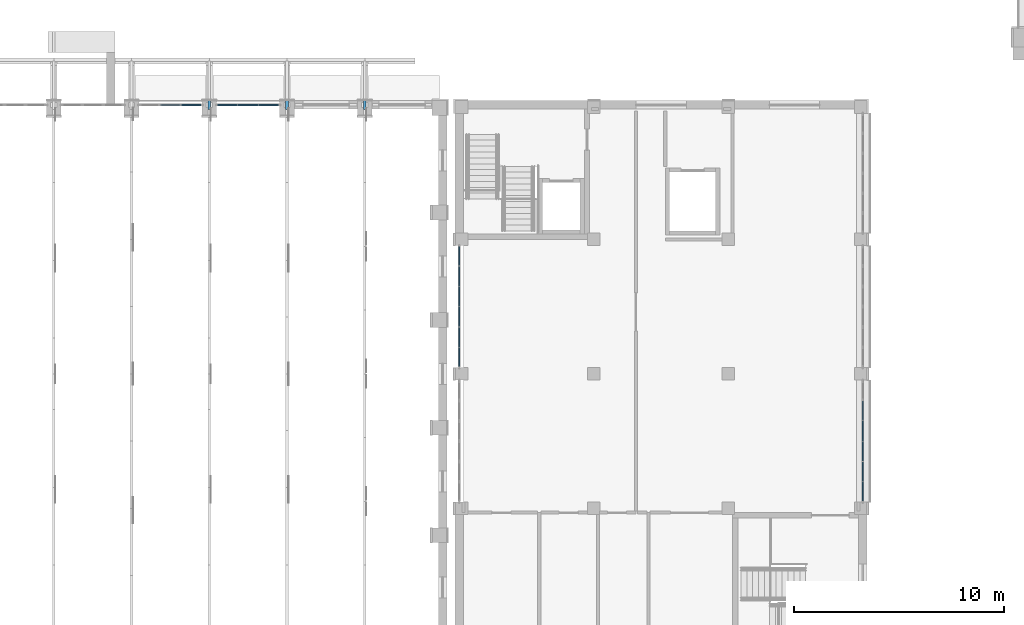
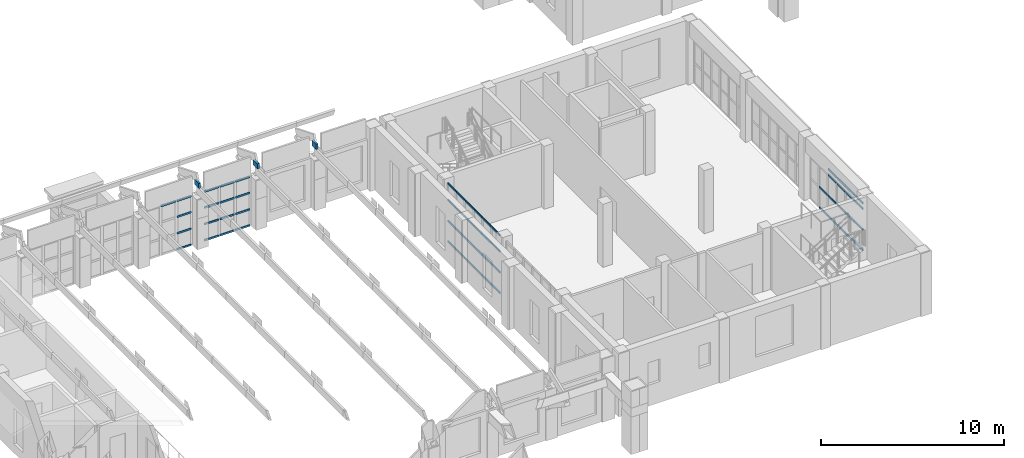
# One storey, part 34 of 99: 62 members, 4 elements without a shape of their own.
"""IFC4 building model written with IfcOpenShell, lengths in metres."""

import ifcopenshell
import ifcopenshell.guid

model = None  # the IFC model being written
_history = None  # IfcOwnerHistory: only IFC2X3 demands one
_inside = {}  # id of a spatial element -> (the spatial element, [elements in it])
_under = {}  # id of a project, library or spatial element -> (it, [spatial elements below it])
_declared = {}  # id of a project -> (the project, [libraries it declares])
_typed = {}  # id of a type object -> (the type object, [elements of that type])
_made_of = {}  # id of a material, layer set ... -> (it, [elements and type objects made of it])


def new_model(schema):
    """Start an empty IFC model of exactly this schema.

    Asked for "IFC4X3", IfcOpenShell would pick the latest addendum, in which some entities
    have other attributes; the version numbers below select the first issue.
    IFC2X3 requires an IfcOwnerHistory on every rooted entity: one is made here for all.
    """
    global model, _history
    if schema == "IFC4X3":
        model = ifcopenshell.file(schema_version=(4, 3, 0, 0))
    else:
        model = ifcopenshell.file(schema=schema)
    _inside.clear()
    _under.clear()
    _declared.clear()
    _typed.clear()
    _made_of.clear()
    _history = None
    if model.schema == "IFC2X3":
        org = make("IfcOrganization", Name="unknown")
        user = make(
            "IfcPersonAndOrganization",
            ThePerson=make("IfcPerson", FamilyName="unknown"),
            TheOrganization=org,
        )
        app = make(
            "IfcApplication",
            ApplicationDeveloper=org,
            Version="unknown",
            ApplicationFullName="unknown",
            ApplicationIdentifier="unknown",
        )
        _history = make(
            "IfcOwnerHistory",
            OwningUser=user,
            OwningApplication=app,
            ChangeAction="ADDED",
            CreationDate=0,
        )
    return model


def make(cls, **values):
    """One entity of the class cls with the attributes given. An attribute that is None is left unset."""
    return model.create_entity(
        cls, **{name: value for name, value in values.items() if value is not None}
    )


def rooted(cls, **values):
    """An entity with a GlobalId (a new one), such as an element, a storey or a relation."""
    return make(cls, GlobalId=ifcopenshell.guid.new(), OwnerHistory=_history, **values)


def si_unit(unit_type, name, prefix=None):
    """IfcSIUnit, for example si_unit("LENGTHUNIT", "METRE", prefix="MILLI")."""
    return make("IfcSIUnit", UnitType=unit_type, Prefix=prefix, Name=name)


def assignment(units):
    """IfcUnitAssignment: the units of a project."""
    return None if units is None else make("IfcUnitAssignment", Units=units)


def point(xyz):
    """IfcCartesianPoint."""
    return None if xyz is None else make("IfcCartesianPoint", Coordinates=xyz)


def direction(xyz):
    """IfcDirection."""
    return None if xyz is None else make("IfcDirection", DirectionRatios=xyz)


def frame(location, z_axis=None, x_axis=None):
    """IfcAxis2Placement3D, a coordinate frame: its origin and axes. An axis left out is left unset."""
    return make(
        "IfcAxis2Placement3D",
        Location=point(location),
        Axis=direction(z_axis),
        RefDirection=direction(x_axis),
    )


def frame_2d(location, x_axis=None):
    """IfcAxis2Placement2D, a coordinate frame in the plane: its origin and x axis."""
    return make(
        "IfcAxis2Placement2D", Location=point(location), RefDirection=direction(x_axis)
    )


def origin():
    """The frame at (0, 0, 0) with its axes left unset."""
    return frame((0.0, 0.0, 0.0))


def origin_2d():
    """The frame at (0, 0) in the plane with its x axis left unset."""
    return frame_2d((0.0, 0.0))


def place(relative_to, where):
    """IfcLocalPlacement: puts the frame where relative to a parent placement (None: the world)."""
    return make(
        "IfcLocalPlacement", PlacementRelTo=relative_to, RelativePlacement=where
    )


def context(
    kind, dimensions, precision=None, world=None, true_north=None, identifier=None
):
    """IfcGeometricRepresentationContext, for example the 3D "Model" context."""
    return make(
        "IfcGeometricRepresentationContext",
        ContextIdentifier=identifier,
        ContextType=kind,
        CoordinateSpaceDimension=dimensions,
        Precision=precision,
        WorldCoordinateSystem=world,
        TrueNorth=true_north,
    )


def subcontext(parent, identifier, kind, view, scale=None):
    """IfcGeometricRepresentationSubContext, for example "Body" below "Model"."""
    return make(
        "IfcGeometricRepresentationSubContext",
        ContextIdentifier=identifier,
        ContextType=kind,
        ParentContext=parent,
        TargetScale=scale,
        TargetView=view,
    )


def project(units=None, contexts=None):
    """IfcProject with its units and contexts."""
    return rooted(
        "IfcProject",
        Name="project",
        RepresentationContexts=contexts,
        UnitsInContext=assignment(units),
    )


def spatial(cls, under=None, at=None, **own):
    """A site, building, storey or space (cls), placed at a placement, below another one or the project."""
    s = rooted(cls, ObjectPlacement=at, **own)
    if under is not None:
        _under.setdefault(under.id(), (under, []))[1].append(s)
    return s


def profile(cls, at=None, kind="AREA", **sizes):
    """A parametric profile (cls). Its sizes go by their IFC names, for example OverallWidth=200.0."""
    return make(cls, ProfileType=kind, Position=at, **sizes)


def rectangle(**sizes):
    """IfcRectangleProfileDef."""
    return profile("IfcRectangleProfileDef", **sizes)


def extrude(swept, where, along, depth):
    """IfcExtrudedAreaSolid: the profile swept, set in the frame where, extruded along a direction by depth."""
    return make(
        "IfcExtrudedAreaSolid",
        SweptArea=swept,
        Position=where,
        ExtrudedDirection=direction(along),
        Depth=depth,
    )


def shape(context_of_items, identifier, shape_type, items):
    """IfcShapeRepresentation: the items that make up one representation, for example the "Body"."""
    return make(
        "IfcShapeRepresentation",
        ContextOfItems=context_of_items,
        RepresentationIdentifier=identifier,
        RepresentationType=shape_type,
        Items=items,
    )


def material(Name=None, Category=None):
    """IfcMaterial."""
    return make("IfcMaterial", Name=Name, Category=Category)


def layer(
    of_material, thickness, ventilated=None, Name=None, Category=None, Priority=None
):
    """IfcMaterialLayer: one layer of a wall or slab, of a material (None: an air gap)."""
    return make(
        "IfcMaterialLayer",
        Material=of_material,
        LayerThickness=thickness,
        IsVentilated=ventilated,
        Name=Name,
        Category=Category,
        Priority=Priority,
    )


def layer_set(layers, Name=None):
    """IfcMaterialLayerSet."""
    return make("IfcMaterialLayerSet", MaterialLayers=layers, LayerSetName=Name)


def material_profile(
    of_material, cross_section, Name=None, Category=None, Priority=None
):
    """IfcMaterialProfile: a cross section and its material."""
    return make(
        "IfcMaterialProfile",
        Name=Name,
        Material=of_material,
        Profile=cross_section,
        Priority=Priority,
        Category=Category,
    )


def profile_set(profiles, Name=None, composite=None):
    """IfcMaterialProfileSet."""
    return make(
        "IfcMaterialProfileSet",
        Name=Name,
        MaterialProfiles=profiles,
        CompositeProfile=composite,
    )


def made_of(thing, what):
    """Note that an element or type object is made of a material, layer set ...; save() writes the relation."""
    if what is not None:
        _made_of.setdefault(what.id(), (what, []))[1].append(thing)
    return thing


def type_object(cls, material=None, **own):
    """A type object (cls), such as IfcWallType, which elements share."""
    return made_of(rooted(cls, **own), material)


def element(
    cls,
    number,
    at=None,
    inside=None,
    cuts=None,
    type_object=None,
    material=None,
    context=None,
    identifier="Body",
    shape_type=None,
    held_by="IfcProductDefinitionShape",
    body=None,
    shapes=None,
    **own,
):
    """One element of the class cls, such as IfcWall. Its Tag is "e" and its number.

    at: its placement. inside: the storey or other place that contains it. cuts: it is an
    opening in that element (IfcRelVoidsElement). A single representation is given by context,
    identifier, shape_type and body (its items); several are given by shapes. held_by: the class
    of the entity that holds the representations. save() writes the other relations.
    """
    e = rooted(cls, Tag="e%d" % number, ObjectPlacement=at, **own)
    if body is not None:
        shapes = [shape(context, identifier, shape_type, body)]
    if shapes is not None:
        e.Representation = make(held_by, Representations=shapes)
    if inside is not None:
        _inside.setdefault(inside.id(), (inside, []))[1].append(e)
    if cuts is not None:
        rooted(
            "IfcRelVoidsElement", RelatingBuildingElement=cuts, RelatedOpeningElement=e
        )
    if type_object is not None:
        _typed.setdefault(type_object.id(), (type_object, []))[1].append(e)
    return made_of(e, material)


def aggregate(whole, parts):
    """IfcRelAggregates: a whole, such as a stair, and the parts it consists of."""
    return rooted("IfcRelAggregates", RelatingObject=whole, RelatedObjects=parts)


def save(model, path):
    """Write the relations noted so far, then the file.

    IfcRelAggregates (storeys below a building ...), IfcRelContainedInSpatialStructure (elements
    in a storey), IfcRelDefinesByType, IfcRelAssociatesMaterial and IfcRelDeclares: one each for
    every whole, place, type object, material and project.
    """
    for whole, parts in _under.values():
        aggregate(whole, parts)
    for where, things in _inside.values():
        rooted(
            "IfcRelContainedInSpatialStructure",
            RelatedElements=things,
            RelatingStructure=where,
        )
    for kind, things in _typed.values():
        rooted("IfcRelDefinesByType", RelatedObjects=things, RelatingType=kind)
    for what, things in _made_of.values():
        rooted("IfcRelAssociatesMaterial", RelatedObjects=things, RelatingMaterial=what)
    for by, libraries in _declared.values():
        rooted("IfcRelDeclares", RelatingContext=by, RelatedDefinitions=libraries)
    model.write(path)


model = new_model("IFC4")

# Units and contexts
model_context = context("Model", 3, precision=1e-05, world=origin(), true_north=direction((0.0, 1.0)))
body_context = subcontext(model_context, "Body", "Model", "MODEL_VIEW")
ifc_project = project(units=[si_unit("LENGTHUNIT", "METRE"), si_unit("AREAUNIT", "SQUARE_METRE"), si_unit("VOLUMEUNIT", "CUBIC_METRE"), si_unit("PLANEANGLEUNIT", "RADIAN"), si_unit("MASSUNIT", "GRAM", prefix="KILO")], contexts=[model_context])

# Site, building, storey
site_placement = place(None, origin())
site = spatial("IfcSite", under=ifc_project, at=site_placement, CompositionType="ELEMENT")
building_placement = place(site_placement, origin())
building = spatial("IfcBuilding", under=site, at=building_placement, Name="Wasatch Bagh Community Centre", CompositionType="ELEMENT")
storey_placement = place(building_placement, frame((0.0, 0.0, 4.199951171875)))
storey = spatial("IfcBuildingStorey", under=building, at=storey_placement, Name="L01", CompositionType="ELEMENT", Elevation=4.199951171875)

# Members
ifc_material_1 = material(Name="Glulam 24F-V4 Douglas fir-larch", Category="wood")
ifc_material_profile_1 = material_profile(ifc_material_1, rectangle(XDim=0.130126953125, YDim=0.457275390625, at=origin_2d()), Name="GL 130x457")
ifc_profile_set_1 = profile_set([ifc_material_profile_1], Name="Glulam 24F-V4 Douglas fir-larch")
member_type_1 = type_object("IfcMemberType", Name="DH GL 130x457 post", PredefinedType="POST", material=ifc_profile_set_1)
member_1_placement = place(storey_placement, frame((84.699951171875, 31.800048828125, 3.77734375), z_axis=(0.0, 0.0, 1.0), x_axis=(1.0, 0.0, 0.0)))
element("IfcMember", 1, at=member_1_placement, inside=storey, type_object=member_type_1, Name="DH.TH5.PS09", PredefinedType="POST", context=body_context, shape_type="SweptSolid", body=[
    extrude(rectangle(XDim=0.130126953125, YDim=0.457275390625, at=origin_2d()), origin(), (0.0, 0.0, 1.0), 0.33203125),
])
member_2_placement = place(storey_placement, frame((88.39990234375, 31.800048828125, 3.77734375), z_axis=(0.0, 0.0, 1.0), x_axis=(1.0, 0.0, 0.0)))
element("IfcMember", 2, at=member_2_placement, inside=storey, type_object=member_type_1, Name="DH.TH6.PS09", PredefinedType="POST", context=body_context, shape_type="SweptSolid", body=[
    extrude(rectangle(XDim=0.130126953125, YDim=0.457275390625, at=origin_2d()), origin(), (0.0, 0.0, 1.0), 0.345703125),
])
member_3_placement = place(storey_placement, frame((92.10009765625, 31.800048828125, 3.77734375), z_axis=(0.0, 0.0, 1.0), x_axis=(1.0, 0.0, 0.0)))
element("IfcMember", 3, at=member_3_placement, inside=storey, type_object=member_type_1, Name="DH.TH7.PS09", PredefinedType="POST", context=body_context, shape_type="SweptSolid", body=[
    extrude(rectangle(XDim=0.130126953125, YDim=0.457275390625, at=origin_2d()), origin(), (0.0, 0.0, 1.0), 0.359375),
])

# Curtain wall, members
ifc_material_2 = material(Name="Aluminium alloy 6063-T6", Category="aluminium")
ifc_layer_1 = layer(ifc_material_2, 0.10009765625)
ifc_layer_set_1 = layer_set([ifc_layer_1], Name="Aluminium alloy 6063-T6")
curtain_wall_type_1 = type_object("IfcCurtainWallType", Name="DH-CW2", PredefinedType="NOTDEFINED", material=ifc_layer_set_1)
curtain_wall_1_placement = place(storey_placement, origin())
curtain_wall_1 = element("IfcCurtainWall", 4, at=curtain_wall_1_placement, inside=storey, type_object=curtain_wall_type_1, Name="Curtain wall DH-CW2", PredefinedType="NOTDEFINED")
ifc_material_profile_2 = material_profile(ifc_material_2, rectangle(XDim=0.06005859375, YDim=0.1201171875, at=origin_2d()), Name="AL 60x120")
ifc_profile_set_2 = profile_set([ifc_material_profile_2], Name="Aluminium alloy 6063-T6")
member_type_2 = type_object("IfcMemberType", Name="DH-CW2 transom", PredefinedType="USERDEFINED", material=ifc_profile_set_2)
member_4_placement = place(storey_placement, frame((82.3798828125, 31.800048828125, 3.27001953125), z_axis=(1.0, 0.0, 0.0), x_axis=(0.0, 1.0, 0.0)))
member_4 = element("IfcMember", 5, at=member_4_placement, type_object=member_type_2, Name="DH-CW2 transom 2.4", ObjectType="TRANSOM", PredefinedType="USERDEFINED", context=body_context, shape_type="SweptSolid", body=[
    extrude(rectangle(XDim=0.06005859375, YDim=0.1201171875, at=origin_2d()), origin(), (0.0, 0.0, 1.0), 0.940185546875),
])
member_5_placement = place(storey_placement, frame((83.3798828125, 31.800048828125, 0.030029296875), z_axis=(1.0, 0.0, 0.0), x_axis=(0.0, 1.0, 0.0)))
member_5 = element("IfcMember", 6, at=member_5_placement, type_object=member_type_2, Name="DH-CW2 transom 3.1", ObjectType="TRANSOM", PredefinedType="USERDEFINED", context=body_context, shape_type="SweptSolid", body=[
    extrude(rectangle(XDim=0.06005859375, YDim=0.1201171875, at=origin_2d()), origin(), (0.0, 0.0, 1.0), 0.91015625),
])
member_6_placement = place(storey_placement, frame((83.3798828125, 31.800048828125, 1.10009765625), z_axis=(1.0, 0.0, 0.0), x_axis=(0.0, 1.0, 0.0)))
member_6 = element("IfcMember", 7, at=member_6_placement, type_object=member_type_2, Name="DH-CW2 transom 3.2", ObjectType="TRANSOM", PredefinedType="USERDEFINED", context=body_context, shape_type="SweptSolid", body=[
    extrude(rectangle(XDim=0.06005859375, YDim=0.1201171875, at=origin_2d()), origin(), (0.0, 0.0, 1.0), 0.91015625),
])
member_7_placement = place(storey_placement, frame((83.3798828125, 31.800048828125, 2.199951171875), z_axis=(1.0, 0.0, 0.0), x_axis=(0.0, 1.0, 0.0)))
member_7 = element("IfcMember", 8, at=member_7_placement, type_object=member_type_2, Name="DH-CW2 transom 3.3", ObjectType="TRANSOM", PredefinedType="USERDEFINED", context=body_context, shape_type="SweptSolid", body=[
    extrude(rectangle(XDim=0.06005859375, YDim=0.1201171875, at=origin_2d()), origin(), (0.0, 0.0, 1.0), 0.91015625),
])
member_8_placement = place(storey_placement, frame((83.3798828125, 31.800048828125, 3.27001953125), z_axis=(1.0, 0.0, 0.0), x_axis=(0.0, 1.0, 0.0)))
member_8 = element("IfcMember", 9, at=member_8_placement, type_object=member_type_2, Name="DH-CW2 transom 3.4", ObjectType="TRANSOM", PredefinedType="USERDEFINED", context=body_context, shape_type="SweptSolid", body=[
    extrude(rectangle(XDim=0.06005859375, YDim=0.1201171875, at=origin_2d()), origin(), (0.0, 0.0, 1.0), 0.91015625),
])
aggregate(curtain_wall_1, [member_4, member_5, member_6, member_7, member_8])

ifc_layer_2 = layer(ifc_material_2, 0.10009765625)
ifc_layer_set_2 = layer_set([ifc_layer_2], Name="Aluminium alloy 6063-T6")
curtain_wall_type_2 = type_object("IfcCurtainWallType", Name="DH-CW3", PredefinedType="NOTDEFINED", material=ifc_layer_set_2)
curtain_wall_2_placement = place(storey_placement, origin())
curtain_wall_2 = element("IfcCurtainWall", 10, at=curtain_wall_2_placement, inside=storey, type_object=curtain_wall_type_2, Name="Curtain wall DH-CW3", PredefinedType="NOTDEFINED")
ifc_material_profile_3 = material_profile(ifc_material_2, rectangle(XDim=0.06005859375, YDim=0.1201171875, at=origin_2d()), Name="AL 60x120")
ifc_profile_set_3 = profile_set([ifc_material_profile_3], Name="Aluminium alloy 6063-T6")
member_type_3 = type_object("IfcMemberType", Name="DH-CW3 transom", PredefinedType="USERDEFINED", material=ifc_profile_set_3)
member_9_placement = place(storey_placement, frame((85.110107421875, 31.800048828125, 0.030029296875), z_axis=(1.0, 0.0, 0.0), x_axis=(0.0, 1.0, 0.0)))
member_9 = element("IfcMember", 11, at=member_9_placement, type_object=member_type_3, Name="DH-CW3 transom 1.1", ObjectType="TRANSOM", PredefinedType="USERDEFINED", context=body_context, shape_type="SweptSolid", body=[
    extrude(rectangle(XDim=0.06005859375, YDim=0.1201171875, at=origin_2d()), origin(), (0.0, 0.0, 1.0), 0.909912109375),
])
member_10_placement = place(storey_placement, frame((85.110107421875, 31.800048828125, 1.10009765625), z_axis=(1.0, 0.0, 0.0), x_axis=(0.0, 1.0, 0.0)))
member_10 = element("IfcMember", 12, at=member_10_placement, type_object=member_type_3, Name="DH-CW3 transom 1.2", ObjectType="TRANSOM", PredefinedType="USERDEFINED", context=body_context, shape_type="SweptSolid", body=[
    extrude(rectangle(XDim=0.06005859375, YDim=0.1201171875, at=origin_2d()), origin(), (0.0, 0.0, 1.0), 0.909912109375),
])
member_11_placement = place(storey_placement, frame((85.110107421875, 31.800048828125, 2.199951171875), z_axis=(1.0, 0.0, 0.0), x_axis=(0.0, 1.0, 0.0)))
member_11 = element("IfcMember", 13, at=member_11_placement, type_object=member_type_3, Name="DH-CW3 transom 1.3", ObjectType="TRANSOM", PredefinedType="USERDEFINED", context=body_context, shape_type="SweptSolid", body=[
    extrude(rectangle(XDim=0.06005859375, YDim=0.1201171875, at=origin_2d()), origin(), (0.0, 0.0, 1.0), 0.909912109375),
])
member_12_placement = place(storey_placement, frame((85.110107421875, 31.800048828125, 3.27001953125), z_axis=(1.0, 0.0, 0.0), x_axis=(0.0, 1.0, 0.0)))
member_12 = element("IfcMember", 14, at=member_12_placement, type_object=member_type_3, Name="DH-CW3 transom 1.4", ObjectType="TRANSOM", PredefinedType="USERDEFINED", context=body_context, shape_type="SweptSolid", body=[
    extrude(rectangle(XDim=0.06005859375, YDim=0.1201171875, at=origin_2d()), origin(), (0.0, 0.0, 1.0), 0.909912109375),
])
member_13_placement = place(storey_placement, frame((86.080078125, 31.800048828125, 0.030029296875), z_axis=(1.0, 0.0, 0.0), x_axis=(0.0, 1.0, 0.0)))
member_13 = element("IfcMember", 15, at=member_13_placement, type_object=member_type_3, Name="DH-CW3 transom 2.1", ObjectType="TRANSOM", PredefinedType="USERDEFINED", context=body_context, shape_type="SweptSolid", body=[
    extrude(rectangle(XDim=0.06005859375, YDim=0.1201171875, at=origin_2d()), origin(), (0.0, 0.0, 1.0), 0.93994140625),
])
member_14_placement = place(storey_placement, frame((86.080078125, 31.800048828125, 1.10009765625), z_axis=(1.0, 0.0, 0.0), x_axis=(0.0, 1.0, 0.0)))
member_14 = element("IfcMember", 16, at=member_14_placement, type_object=member_type_3, Name="DH-CW3 transom 2.2", ObjectType="TRANSOM", PredefinedType="USERDEFINED", context=body_context, shape_type="SweptSolid", body=[
    extrude(rectangle(XDim=0.06005859375, YDim=0.1201171875, at=origin_2d()), origin(), (0.0, 0.0, 1.0), 0.93994140625),
])
member_15_placement = place(storey_placement, frame((86.080078125, 31.800048828125, 2.199951171875), z_axis=(1.0, 0.0, 0.0), x_axis=(0.0, 1.0, 0.0)))
member_15 = element("IfcMember", 17, at=member_15_placement, type_object=member_type_3, Name="DH-CW3 transom 2.3", ObjectType="TRANSOM", PredefinedType="USERDEFINED", context=body_context, shape_type="SweptSolid", body=[
    extrude(rectangle(XDim=0.06005859375, YDim=0.1201171875, at=origin_2d()), origin(), (0.0, 0.0, 1.0), 0.93994140625),
])
member_16_placement = place(storey_placement, frame((86.080078125, 31.800048828125, 3.27001953125), z_axis=(1.0, 0.0, 0.0), x_axis=(0.0, 1.0, 0.0)))
member_16 = element("IfcMember", 18, at=member_16_placement, type_object=member_type_3, Name="DH-CW3 transom 2.4", ObjectType="TRANSOM", PredefinedType="USERDEFINED", context=body_context, shape_type="SweptSolid", body=[
    extrude(rectangle(XDim=0.06005859375, YDim=0.1201171875, at=origin_2d()), origin(), (0.0, 0.0, 1.0), 0.93994140625),
])
member_17_placement = place(storey_placement, frame((87.080078125, 31.800048828125, 0.030029296875), z_axis=(1.0, 0.0, 0.0), x_axis=(0.0, 1.0, 0.0)))
member_17 = element("IfcMember", 19, at=member_17_placement, type_object=member_type_3, Name="DH-CW3 transom 3.1", ObjectType="TRANSOM", PredefinedType="USERDEFINED", context=body_context, shape_type="SweptSolid", body=[
    extrude(rectangle(XDim=0.06005859375, YDim=0.1201171875, at=origin_2d()), origin(), (0.0, 0.0, 1.0), 0.909912109375),
])
member_18_placement = place(storey_placement, frame((87.080078125, 31.800048828125, 1.10009765625), z_axis=(1.0, 0.0, 0.0), x_axis=(0.0, 1.0, 0.0)))
member_18 = element("IfcMember", 20, at=member_18_placement, type_object=member_type_3, Name="DH-CW3 transom 3.2", ObjectType="TRANSOM", PredefinedType="USERDEFINED", context=body_context, shape_type="SweptSolid", body=[
    extrude(rectangle(XDim=0.06005859375, YDim=0.1201171875, at=origin_2d()), origin(), (0.0, 0.0, 1.0), 0.909912109375),
])
member_19_placement = place(storey_placement, frame((87.080078125, 31.800048828125, 2.199951171875), z_axis=(1.0, 0.0, 0.0), x_axis=(0.0, 1.0, 0.0)))
member_19 = element("IfcMember", 21, at=member_19_placement, type_object=member_type_3, Name="DH-CW3 transom 3.3", ObjectType="TRANSOM", PredefinedType="USERDEFINED", context=body_context, shape_type="SweptSolid", body=[
    extrude(rectangle(XDim=0.06005859375, YDim=0.1201171875, at=origin_2d()), origin(), (0.0, 0.0, 1.0), 0.909912109375),
])
member_20_placement = place(storey_placement, frame((87.080078125, 31.800048828125, 3.27001953125), z_axis=(1.0, 0.0, 0.0), x_axis=(0.0, 1.0, 0.0)))
member_20 = element("IfcMember", 22, at=member_20_placement, type_object=member_type_3, Name="DH-CW3 transom 3.4", ObjectType="TRANSOM", PredefinedType="USERDEFINED", context=body_context, shape_type="SweptSolid", body=[
    extrude(rectangle(XDim=0.06005859375, YDim=0.1201171875, at=origin_2d()), origin(), (0.0, 0.0, 1.0), 0.909912109375),
])
aggregate(curtain_wall_2, [member_9, member_10, member_11, member_12, member_13, member_14, member_15, member_16, member_17, member_18, member_19, member_20])

ifc_layer_3 = layer(ifc_material_2, 0.10009765625)
ifc_layer_set_3 = layer_set([ifc_layer_3], Name="Aluminium alloy 6063-T6")
curtain_wall_type_3 = type_object("IfcCurtainWallType", Name="KW-CW1", PredefinedType="NOTDEFINED", material=ifc_layer_set_3)
curtain_wall_3_placement = place(storey_placement, origin())
curtain_wall_3 = element("IfcCurtainWall", 23, at=curtain_wall_3_placement, inside=storey, type_object=curtain_wall_type_3, Name="Curtain wall KW-CW1", PredefinedType="NOTDEFINED")
ifc_material_profile_4 = material_profile(ifc_material_2, rectangle(XDim=0.06005859375, YDim=0.1201171875, at=origin_2d()), Name="AL 60x120")
ifc_profile_set_4 = profile_set([ifc_material_profile_4], Name="Aluminium alloy 6063-T6")
member_type_4 = type_object("IfcMemberType", Name="KW-CW1 transom", PredefinedType="USERDEFINED", material=ifc_profile_set_4)
member_21_placement = place(storey_placement, frame((96.60009765625, 19.360107421875, 0.030029296875), z_axis=(0.0, 1.0, 0.0), x_axis=(-1.0, 0.0, 0.0)))
member_21 = element("IfcMember", 24, at=member_21_placement, type_object=member_type_4, Name="KW-CW1 transom 1.1", ObjectType="TRANSOM", PredefinedType="USERDEFINED", context=body_context, shape_type="SweptSolid", body=[
    extrude(rectangle(XDim=0.06005859375, YDim=0.1201171875, at=origin_2d()), origin(), (0.0, 0.0, 1.0), 0.87646484375),
])
member_22_placement = place(storey_placement, frame((96.60009765625, 19.360107421875, 1.400146484375), z_axis=(0.0, 1.0, 0.0), x_axis=(-1.0, 0.0, 0.0)))
member_22 = element("IfcMember", 25, at=member_22_placement, type_object=member_type_4, Name="KW-CW1 transom 1.2", ObjectType="TRANSOM", PredefinedType="USERDEFINED", context=body_context, shape_type="SweptSolid", body=[
    extrude(rectangle(XDim=0.06005859375, YDim=0.1201171875, at=origin_2d()), origin(), (0.0, 0.0, 1.0), 0.87646484375),
])
member_23_placement = place(storey_placement, frame((96.60009765625, 19.360107421875, 2.800048828125), z_axis=(0.0, 1.0, 0.0), x_axis=(-1.0, 0.0, 0.0)))
member_23 = element("IfcMember", 26, at=member_23_placement, type_object=member_type_4, Name="KW-CW1 transom 1.3", ObjectType="TRANSOM", PredefinedType="USERDEFINED", context=body_context, shape_type="SweptSolid", body=[
    extrude(rectangle(XDim=0.06005859375, YDim=0.1201171875, at=origin_2d()), origin(), (0.0, 0.0, 1.0), 0.87646484375),
])
member_24_placement = place(storey_placement, frame((96.60009765625, 19.360107421875, 3.89013671875), z_axis=(0.0, 1.0, 0.0), x_axis=(-1.0, 0.0, 0.0)))
member_24 = element("IfcMember", 27, at=member_24_placement, type_object=member_type_4, Name="KW-CW1 transom 1.4", ObjectType="TRANSOM", PredefinedType="USERDEFINED", context=body_context, shape_type="SweptSolid", body=[
    extrude(rectangle(XDim=0.06005859375, YDim=0.1201171875, at=origin_2d()), origin(), (0.0, 0.0, 1.0), 0.87646484375),
])
member_25_placement = place(storey_placement, frame((96.60009765625, 20.296630859375, 0.030029296875), z_axis=(0.0, 1.0, 0.0), x_axis=(-1.0, 0.0, 0.0)))
member_25 = element("IfcMember", 28, at=member_25_placement, type_object=member_type_4, Name="KW-CW1 transom 2.1", ObjectType="TRANSOM", PredefinedType="USERDEFINED", context=body_context, shape_type="SweptSolid", body=[
    extrude(rectangle(XDim=0.06005859375, YDim=0.1201171875, at=origin_2d()), origin(), (0.0, 0.0, 1.0), 0.90673828125),
])
member_26_placement = place(storey_placement, frame((96.60009765625, 20.296630859375, 1.400146484375), z_axis=(0.0, 1.0, 0.0), x_axis=(-1.0, 0.0, 0.0)))
member_26 = element("IfcMember", 29, at=member_26_placement, type_object=member_type_4, Name="KW-CW1 transom 2.2", ObjectType="TRANSOM", PredefinedType="USERDEFINED", context=body_context, shape_type="SweptSolid", body=[
    extrude(rectangle(XDim=0.06005859375, YDim=0.1201171875, at=origin_2d()), origin(), (0.0, 0.0, 1.0), 0.90673828125),
])
member_27_placement = place(storey_placement, frame((96.60009765625, 20.296630859375, 2.800048828125), z_axis=(0.0, 1.0, 0.0), x_axis=(-1.0, 0.0, 0.0)))
member_27 = element("IfcMember", 30, at=member_27_placement, type_object=member_type_4, Name="KW-CW1 transom 2.3", ObjectType="TRANSOM", PredefinedType="USERDEFINED", context=body_context, shape_type="SweptSolid", body=[
    extrude(rectangle(XDim=0.06005859375, YDim=0.1201171875, at=origin_2d()), origin(), (0.0, 0.0, 1.0), 0.90673828125),
])
member_28_placement = place(storey_placement, frame((96.60009765625, 20.296630859375, 3.89013671875), z_axis=(0.0, 1.0, 0.0), x_axis=(-1.0, 0.0, 0.0)))
member_28 = element("IfcMember", 31, at=member_28_placement, type_object=member_type_4, Name="KW-CW1 transom 2.4", ObjectType="TRANSOM", PredefinedType="USERDEFINED", context=body_context, shape_type="SweptSolid", body=[
    extrude(rectangle(XDim=0.06005859375, YDim=0.1201171875, at=origin_2d()), origin(), (0.0, 0.0, 1.0), 0.90673828125),
])
member_29_placement = place(storey_placement, frame((96.60009765625, 21.263427734375, 0.030029296875), z_axis=(0.0, 1.0, 0.0), x_axis=(-1.0, 0.0, 0.0)))
member_29 = element("IfcMember", 32, at=member_29_placement, type_object=member_type_4, Name="KW-CW1 transom 3.1", ObjectType="TRANSOM", PredefinedType="USERDEFINED", context=body_context, shape_type="SweptSolid", body=[
    extrude(rectangle(XDim=0.06005859375, YDim=0.1201171875, at=origin_2d()), origin(), (0.0, 0.0, 1.0), 0.906494140625),
])
member_30_placement = place(storey_placement, frame((96.60009765625, 21.263427734375, 1.400146484375), z_axis=(0.0, 1.0, 0.0), x_axis=(-1.0, 0.0, 0.0)))
member_30 = element("IfcMember", 33, at=member_30_placement, type_object=member_type_4, Name="KW-CW1 transom 3.2", ObjectType="TRANSOM", PredefinedType="USERDEFINED", context=body_context, shape_type="SweptSolid", body=[
    extrude(rectangle(XDim=0.06005859375, YDim=0.1201171875, at=origin_2d()), origin(), (0.0, 0.0, 1.0), 0.906494140625),
])
member_31_placement = place(storey_placement, frame((96.60009765625, 21.263427734375, 2.800048828125), z_axis=(0.0, 1.0, 0.0), x_axis=(-1.0, 0.0, 0.0)))
member_31 = element("IfcMember", 34, at=member_31_placement, type_object=member_type_4, Name="KW-CW1 transom 3.3", ObjectType="TRANSOM", PredefinedType="USERDEFINED", context=body_context, shape_type="SweptSolid", body=[
    extrude(rectangle(XDim=0.06005859375, YDim=0.1201171875, at=origin_2d()), origin(), (0.0, 0.0, 1.0), 0.906494140625),
])
member_32_placement = place(storey_placement, frame((96.60009765625, 21.263427734375, 3.89013671875), z_axis=(0.0, 1.0, 0.0), x_axis=(-1.0, 0.0, 0.0)))
member_32 = element("IfcMember", 35, at=member_32_placement, type_object=member_type_4, Name="KW-CW1 transom 3.4", ObjectType="TRANSOM", PredefinedType="USERDEFINED", context=body_context, shape_type="SweptSolid", body=[
    extrude(rectangle(XDim=0.06005859375, YDim=0.1201171875, at=origin_2d()), origin(), (0.0, 0.0, 1.0), 0.906494140625),
])
member_33_placement = place(storey_placement, frame((96.60009765625, 22.22998046875, 0.030029296875), z_axis=(0.0, 1.0, 0.0), x_axis=(-1.0, 0.0, 0.0)))
member_33 = element("IfcMember", 36, at=member_33_placement, type_object=member_type_4, Name="KW-CW1 transom 4.1", ObjectType="TRANSOM", PredefinedType="USERDEFINED", context=body_context, shape_type="SweptSolid", body=[
    extrude(rectangle(XDim=0.06005859375, YDim=0.1201171875, at=origin_2d()), origin(), (0.0, 0.0, 1.0), 0.90673828125),
])
member_34_placement = place(storey_placement, frame((96.60009765625, 22.22998046875, 1.400146484375), z_axis=(0.0, 1.0, 0.0), x_axis=(-1.0, 0.0, 0.0)))
member_34 = element("IfcMember", 37, at=member_34_placement, type_object=member_type_4, Name="KW-CW1 transom 4.2", ObjectType="TRANSOM", PredefinedType="USERDEFINED", context=body_context, shape_type="SweptSolid", body=[
    extrude(rectangle(XDim=0.06005859375, YDim=0.1201171875, at=origin_2d()), origin(), (0.0, 0.0, 1.0), 0.90673828125),
])
member_35_placement = place(storey_placement, frame((96.60009765625, 22.22998046875, 2.800048828125), z_axis=(0.0, 1.0, 0.0), x_axis=(-1.0, 0.0, 0.0)))
member_35 = element("IfcMember", 38, at=member_35_placement, type_object=member_type_4, Name="KW-CW1 transom 4.3", ObjectType="TRANSOM", PredefinedType="USERDEFINED", context=body_context, shape_type="SweptSolid", body=[
    extrude(rectangle(XDim=0.06005859375, YDim=0.1201171875, at=origin_2d()), origin(), (0.0, 0.0, 1.0), 0.90673828125),
])
member_36_placement = place(storey_placement, frame((96.60009765625, 22.22998046875, 3.89013671875), z_axis=(0.0, 1.0, 0.0), x_axis=(-1.0, 0.0, 0.0)))
member_36 = element("IfcMember", 39, at=member_36_placement, type_object=member_type_4, Name="KW-CW1 transom 4.4", ObjectType="TRANSOM", PredefinedType="USERDEFINED", context=body_context, shape_type="SweptSolid", body=[
    extrude(rectangle(XDim=0.06005859375, YDim=0.1201171875, at=origin_2d()), origin(), (0.0, 0.0, 1.0), 0.90673828125),
])
member_37_placement = place(storey_placement, frame((96.60009765625, 23.19677734375, 0.030029296875), z_axis=(0.0, 1.0, 0.0), x_axis=(-1.0, 0.0, 0.0)))
member_37 = element("IfcMember", 40, at=member_37_placement, type_object=member_type_4, Name="KW-CW1 transom 5.1", ObjectType="TRANSOM", PredefinedType="USERDEFINED", context=body_context, shape_type="SweptSolid", body=[
    extrude(rectangle(XDim=0.06005859375, YDim=0.1201171875, at=origin_2d()), origin(), (0.0, 0.0, 1.0), 0.906494140625),
])
member_38_placement = place(storey_placement, frame((96.60009765625, 23.19677734375, 1.400146484375), z_axis=(0.0, 1.0, 0.0), x_axis=(-1.0, 0.0, 0.0)))
member_38 = element("IfcMember", 41, at=member_38_placement, type_object=member_type_4, Name="KW-CW1 transom 5.2", ObjectType="TRANSOM", PredefinedType="USERDEFINED", context=body_context, shape_type="SweptSolid", body=[
    extrude(rectangle(XDim=0.06005859375, YDim=0.1201171875, at=origin_2d()), origin(), (0.0, 0.0, 1.0), 0.906494140625),
])
member_39_placement = place(storey_placement, frame((96.60009765625, 23.19677734375, 2.800048828125), z_axis=(0.0, 1.0, 0.0), x_axis=(-1.0, 0.0, 0.0)))
member_39 = element("IfcMember", 42, at=member_39_placement, type_object=member_type_4, Name="KW-CW1 transom 5.3", ObjectType="TRANSOM", PredefinedType="USERDEFINED", context=body_context, shape_type="SweptSolid", body=[
    extrude(rectangle(XDim=0.06005859375, YDim=0.1201171875, at=origin_2d()), origin(), (0.0, 0.0, 1.0), 0.906494140625),
])
member_40_placement = place(storey_placement, frame((96.60009765625, 23.19677734375, 3.89013671875), z_axis=(0.0, 1.0, 0.0), x_axis=(-1.0, 0.0, 0.0)))
member_40 = element("IfcMember", 43, at=member_40_placement, type_object=member_type_4, Name="KW-CW1 transom 5.4", ObjectType="TRANSOM", PredefinedType="USERDEFINED", context=body_context, shape_type="SweptSolid", body=[
    extrude(rectangle(XDim=0.06005859375, YDim=0.1201171875, at=origin_2d()), origin(), (0.0, 0.0, 1.0), 0.906494140625),
])
member_41_placement = place(storey_placement, frame((96.60009765625, 24.163330078125, 0.030029296875), z_axis=(0.0, 1.0, 0.0), x_axis=(-1.0, 0.0, 0.0)))
member_41 = element("IfcMember", 44, at=member_41_placement, type_object=member_type_4, Name="KW-CW1 transom 6.1", ObjectType="TRANSOM", PredefinedType="USERDEFINED", context=body_context, shape_type="SweptSolid", body=[
    extrude(rectangle(XDim=0.06005859375, YDim=0.1201171875, at=origin_2d()), origin(), (0.0, 0.0, 1.0), 0.876708984375),
])
member_42_placement = place(storey_placement, frame((96.60009765625, 24.163330078125, 1.400146484375), z_axis=(0.0, 1.0, 0.0), x_axis=(-1.0, 0.0, 0.0)))
member_42 = element("IfcMember", 45, at=member_42_placement, type_object=member_type_4, Name="KW-CW1 transom 6.2", ObjectType="TRANSOM", PredefinedType="USERDEFINED", context=body_context, shape_type="SweptSolid", body=[
    extrude(rectangle(XDim=0.06005859375, YDim=0.1201171875, at=origin_2d()), origin(), (0.0, 0.0, 1.0), 0.876708984375),
])
member_43_placement = place(storey_placement, frame((96.60009765625, 24.163330078125, 2.800048828125), z_axis=(0.0, 1.0, 0.0), x_axis=(-1.0, 0.0, 0.0)))
member_43 = element("IfcMember", 46, at=member_43_placement, type_object=member_type_4, Name="KW-CW1 transom 6.3", ObjectType="TRANSOM", PredefinedType="USERDEFINED", context=body_context, shape_type="SweptSolid", body=[
    extrude(rectangle(XDim=0.06005859375, YDim=0.1201171875, at=origin_2d()), origin(), (0.0, 0.0, 1.0), 0.876708984375),
])
member_44_placement = place(storey_placement, frame((96.60009765625, 24.163330078125, 3.89013671875), z_axis=(0.0, 1.0, 0.0), x_axis=(-1.0, 0.0, 0.0)))
member_44 = element("IfcMember", 47, at=member_44_placement, type_object=member_type_4, Name="KW-CW1 transom 6.4", ObjectType="TRANSOM", PredefinedType="USERDEFINED", context=body_context, shape_type="SweptSolid", body=[
    extrude(rectangle(XDim=0.06005859375, YDim=0.1201171875, at=origin_2d()), origin(), (0.0, 0.0, 1.0), 0.876708984375),
])
aggregate(curtain_wall_3, [member_21, member_22, member_23, member_24, member_25, member_26, member_27, member_28, member_29, member_30, member_31, member_32, member_33, member_34, member_35, member_36, member_37, member_38, member_39, member_40, member_41, member_42, member_43, member_44])

ifc_layer_4 = layer(ifc_material_2, 0.10009765625)
ifc_layer_set_4 = layer_set([ifc_layer_4], Name="Aluminium alloy 6063-T6")
curtain_wall_type_4 = type_object("IfcCurtainWallType", Name="KW-CW2", PredefinedType="NOTDEFINED", material=ifc_layer_set_4)
curtain_wall_4_placement = place(storey_placement, origin())
curtain_wall_4 = element("IfcCurtainWall", 48, at=curtain_wall_4_placement, inside=storey, type_object=curtain_wall_type_4, Name="Curtain wall KW-CW2", PredefinedType="NOTDEFINED")
ifc_material_profile_5 = material_profile(ifc_material_2, rectangle(XDim=0.06005859375, YDim=0.1201171875, at=origin_2d()), Name="AL 60x120")
ifc_profile_set_5 = profile_set([ifc_material_profile_5], Name="Aluminium alloy 6063-T6")
member_type_5 = type_object("IfcMemberType", Name="KW-CW2 transom", PredefinedType="USERDEFINED", material=ifc_profile_set_5)
member_45_placement = place(storey_placement, frame((115.800048828125, 12.9599609375, 0.030029296875), z_axis=(0.0, 1.0, 0.0), x_axis=(-1.0, 0.0, 0.0)))
member_45 = element("IfcMember", 49, at=member_45_placement, type_object=member_type_5, Name="KW-CW2 transom 1.1", ObjectType="TRANSOM", PredefinedType="USERDEFINED", context=body_context, shape_type="SweptSolid", body=[
    extrude(rectangle(XDim=0.06005859375, YDim=0.1201171875, at=origin_2d()), origin(), (0.0, 0.0, 1.0), 0.876708984375),
])
member_46_placement = place(storey_placement, frame((115.800048828125, 12.9599609375, 1.400146484375), z_axis=(0.0, 1.0, 0.0), x_axis=(-1.0, 0.0, 0.0)))
member_46 = element("IfcMember", 50, at=member_46_placement, type_object=member_type_5, Name="KW-CW2 transom 1.2", ObjectType="TRANSOM", PredefinedType="USERDEFINED", context=body_context, shape_type="SweptSolid", body=[
    extrude(rectangle(XDim=0.06005859375, YDim=0.1201171875, at=origin_2d()), origin(), (0.0, 0.0, 1.0), 0.876708984375),
])
member_47_placement = place(storey_placement, frame((115.800048828125, 12.9599609375, 2.800048828125), z_axis=(0.0, 1.0, 0.0), x_axis=(-1.0, 0.0, 0.0)))
member_47 = element("IfcMember", 51, at=member_47_placement, type_object=member_type_5, Name="KW-CW2 transom 1.3", ObjectType="TRANSOM", PredefinedType="USERDEFINED", context=body_context, shape_type="SweptSolid", body=[
    extrude(rectangle(XDim=0.06005859375, YDim=0.1201171875, at=origin_2d()), origin(), (0.0, 0.0, 1.0), 0.876708984375),
])
member_48_placement = place(storey_placement, frame((115.800048828125, 12.9599609375, 3.170166015625), z_axis=(0.0, 1.0, 0.0), x_axis=(-1.0, 0.0, 0.0)))
member_48 = element("IfcMember", 52, at=member_48_placement, type_object=member_type_5, Name="KW-CW2 transom 1.4", ObjectType="TRANSOM", PredefinedType="USERDEFINED", context=body_context, shape_type="SweptSolid", body=[
    extrude(rectangle(XDim=0.06005859375, YDim=0.1201171875, at=origin_2d()), origin(), (0.0, 0.0, 1.0), 0.876708984375),
])
member_49_placement = place(storey_placement, frame((115.800048828125, 13.896728515625, 0.030029296875), z_axis=(0.0, 1.0, 0.0), x_axis=(-1.0, 0.0, 0.0)))
member_49 = element("IfcMember", 53, at=member_49_placement, type_object=member_type_5, Name="KW-CW2 transom 2.1", ObjectType="TRANSOM", PredefinedType="USERDEFINED", context=body_context, shape_type="SweptSolid", body=[
    extrude(rectangle(XDim=0.06005859375, YDim=0.1201171875, at=origin_2d()), origin(), (0.0, 0.0, 1.0), 0.906494140625),
])
member_50_placement = place(storey_placement, frame((115.800048828125, 13.896728515625, 1.400146484375), z_axis=(0.0, 1.0, 0.0), x_axis=(-1.0, 0.0, 0.0)))
member_50 = element("IfcMember", 54, at=member_50_placement, type_object=member_type_5, Name="KW-CW2 transom 2.2", ObjectType="TRANSOM", PredefinedType="USERDEFINED", context=body_context, shape_type="SweptSolid", body=[
    extrude(rectangle(XDim=0.06005859375, YDim=0.1201171875, at=origin_2d()), origin(), (0.0, 0.0, 1.0), 0.906494140625),
])
member_51_placement = place(storey_placement, frame((115.800048828125, 13.896728515625, 2.800048828125), z_axis=(0.0, 1.0, 0.0), x_axis=(-1.0, 0.0, 0.0)))
member_51 = element("IfcMember", 55, at=member_51_placement, type_object=member_type_5, Name="KW-CW2 transom 2.3", ObjectType="TRANSOM", PredefinedType="USERDEFINED", context=body_context, shape_type="SweptSolid", body=[
    extrude(rectangle(XDim=0.06005859375, YDim=0.1201171875, at=origin_2d()), origin(), (0.0, 0.0, 1.0), 0.906494140625),
])
member_52_placement = place(storey_placement, frame((115.800048828125, 13.896728515625, 3.170166015625), z_axis=(0.0, 1.0, 0.0), x_axis=(-1.0, 0.0, 0.0)))
member_52 = element("IfcMember", 56, at=member_52_placement, type_object=member_type_5, Name="KW-CW2 transom 2.4", ObjectType="TRANSOM", PredefinedType="USERDEFINED", context=body_context, shape_type="SweptSolid", body=[
    extrude(rectangle(XDim=0.06005859375, YDim=0.1201171875, at=origin_2d()), origin(), (0.0, 0.0, 1.0), 0.906494140625),
])
member_53_placement = place(storey_placement, frame((115.800048828125, 14.86328125, 0.030029296875), z_axis=(0.0, 1.0, 0.0), x_axis=(-1.0, 0.0, 0.0)))
member_53 = element("IfcMember", 57, at=member_53_placement, type_object=member_type_5, Name="KW-CW2 transom 3.1", ObjectType="TRANSOM", PredefinedType="USERDEFINED", context=body_context, shape_type="SweptSolid", body=[
    extrude(rectangle(XDim=0.06005859375, YDim=0.1201171875, at=origin_2d()), origin(), (0.0, 0.0, 1.0), 0.90673828125),
])
member_54_placement = place(storey_placement, frame((115.800048828125, 14.86328125, 1.400146484375), z_axis=(0.0, 1.0, 0.0), x_axis=(-1.0, 0.0, 0.0)))
member_54 = element("IfcMember", 58, at=member_54_placement, type_object=member_type_5, Name="KW-CW2 transom 3.2", ObjectType="TRANSOM", PredefinedType="USERDEFINED", context=body_context, shape_type="SweptSolid", body=[
    extrude(rectangle(XDim=0.06005859375, YDim=0.1201171875, at=origin_2d()), origin(), (0.0, 0.0, 1.0), 0.90673828125),
])
member_55_placement = place(storey_placement, frame((115.800048828125, 14.86328125, 2.800048828125), z_axis=(0.0, 1.0, 0.0), x_axis=(-1.0, 0.0, 0.0)))
member_55 = element("IfcMember", 59, at=member_55_placement, type_object=member_type_5, Name="KW-CW2 transom 3.3", ObjectType="TRANSOM", PredefinedType="USERDEFINED", context=body_context, shape_type="SweptSolid", body=[
    extrude(rectangle(XDim=0.06005859375, YDim=0.1201171875, at=origin_2d()), origin(), (0.0, 0.0, 1.0), 0.90673828125),
])
member_56_placement = place(storey_placement, frame((115.800048828125, 14.86328125, 3.170166015625), z_axis=(0.0, 1.0, 0.0), x_axis=(-1.0, 0.0, 0.0)))
member_56 = element("IfcMember", 60, at=member_56_placement, type_object=member_type_5, Name="KW-CW2 transom 3.4", ObjectType="TRANSOM", PredefinedType="USERDEFINED", context=body_context, shape_type="SweptSolid", body=[
    extrude(rectangle(XDim=0.06005859375, YDim=0.1201171875, at=origin_2d()), origin(), (0.0, 0.0, 1.0), 0.90673828125),
])
member_57_placement = place(storey_placement, frame((115.800048828125, 15.830078125, 0.030029296875), z_axis=(0.0, 1.0, 0.0), x_axis=(-1.0, 0.0, 0.0)))
member_57 = element("IfcMember", 61, at=member_57_placement, type_object=member_type_5, Name="KW-CW2 transom 4.1", ObjectType="TRANSOM", PredefinedType="USERDEFINED", context=body_context, shape_type="SweptSolid", body=[
    extrude(rectangle(XDim=0.06005859375, YDim=0.1201171875, at=origin_2d()), origin(), (0.0, 0.0, 1.0), 0.906494140625),
])
member_58_placement = place(storey_placement, frame((115.800048828125, 15.830078125, 1.400146484375), z_axis=(0.0, 1.0, 0.0), x_axis=(-1.0, 0.0, 0.0)))
member_58 = element("IfcMember", 62, at=member_58_placement, type_object=member_type_5, Name="KW-CW2 transom 4.2", ObjectType="TRANSOM", PredefinedType="USERDEFINED", context=body_context, shape_type="SweptSolid", body=[
    extrude(rectangle(XDim=0.06005859375, YDim=0.1201171875, at=origin_2d()), origin(), (0.0, 0.0, 1.0), 0.906494140625),
])
member_59_placement = place(storey_placement, frame((115.800048828125, 15.830078125, 2.800048828125), z_axis=(0.0, 1.0, 0.0), x_axis=(-1.0, 0.0, 0.0)))
member_59 = element("IfcMember", 63, at=member_59_placement, type_object=member_type_5, Name="KW-CW2 transom 4.3", ObjectType="TRANSOM", PredefinedType="USERDEFINED", context=body_context, shape_type="SweptSolid", body=[
    extrude(rectangle(XDim=0.06005859375, YDim=0.1201171875, at=origin_2d()), origin(), (0.0, 0.0, 1.0), 0.906494140625),
])
member_60_placement = place(storey_placement, frame((115.800048828125, 15.830078125, 3.170166015625), z_axis=(0.0, 1.0, 0.0), x_axis=(-1.0, 0.0, 0.0)))
member_60 = element("IfcMember", 64, at=member_60_placement, type_object=member_type_5, Name="KW-CW2 transom 4.4", ObjectType="TRANSOM", PredefinedType="USERDEFINED", context=body_context, shape_type="SweptSolid", body=[
    extrude(rectangle(XDim=0.06005859375, YDim=0.1201171875, at=origin_2d()), origin(), (0.0, 0.0, 1.0), 0.906494140625),
])
member_61_placement = place(storey_placement, frame((115.800048828125, 16.796630859375, 0.030029296875), z_axis=(0.0, 1.0, 0.0), x_axis=(-1.0, 0.0, 0.0)))
member_61 = element("IfcMember", 65, at=member_61_placement, type_object=member_type_5, Name="KW-CW2 transom 5.1", ObjectType="TRANSOM", PredefinedType="USERDEFINED", context=body_context, shape_type="SweptSolid", body=[
    extrude(rectangle(XDim=0.06005859375, YDim=0.1201171875, at=origin_2d()), origin(), (0.0, 0.0, 1.0), 0.90673828125),
])
member_62_placement = place(storey_placement, frame((115.800048828125, 16.796630859375, 1.400146484375), z_axis=(0.0, 1.0, 0.0), x_axis=(-1.0, 0.0, 0.0)))
member_62 = element("IfcMember", 66, at=member_62_placement, type_object=member_type_5, Name="KW-CW2 transom 5.2", ObjectType="TRANSOM", PredefinedType="USERDEFINED", context=body_context, shape_type="SweptSolid", body=[
    extrude(rectangle(XDim=0.06005859375, YDim=0.1201171875, at=origin_2d()), origin(), (0.0, 0.0, 1.0), 0.90673828125),
])
aggregate(curtain_wall_4, [member_45, member_46, member_47, member_48, member_49, member_50, member_51, member_52, member_53, member_54, member_55, member_56, member_57, member_58, member_59, member_60, member_61, member_62])

save(model, "model.ifc")
